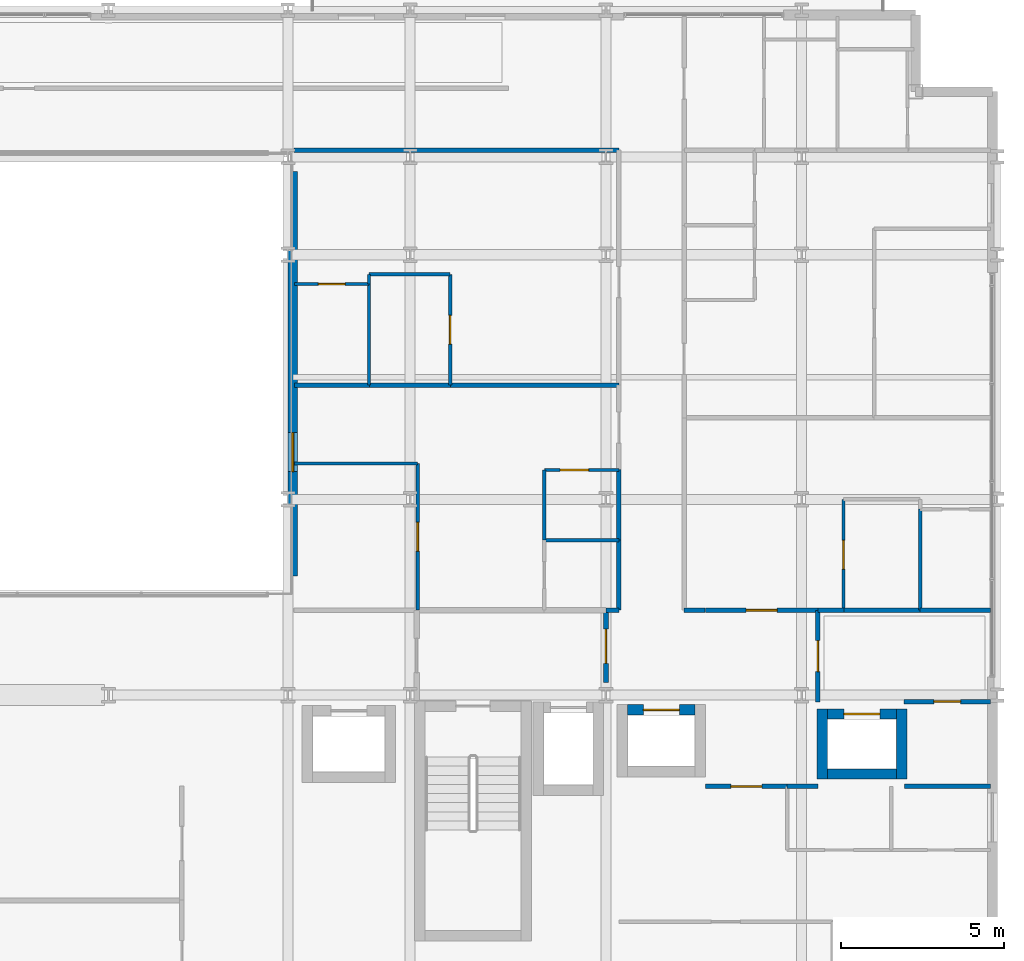
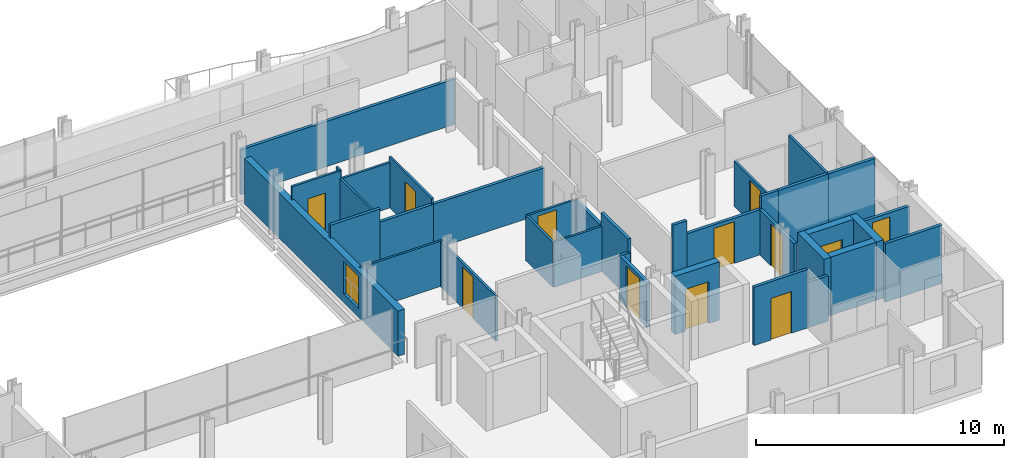
# One storey, part 35 of 41: 36 walls, 12 doors, 1 window, 13 openings.
"""IFC4 building model written with IfcOpenShell, lengths in metres."""

from ifc_helpers import new_model, si_unit, direction, frame, frame_2d, origin, place, context, subcontext, project, spatial, rectangle, extrude, material, layer, layer_set, type_object, element, fill, save


model = new_model("IFC4")

# Units and contexts
model_context = context("Model", 3, precision=1e-05, world=origin(), true_north=direction((0.0, 1.0)))
body_context = subcontext(model_context, "Body", "Model", "MODEL_VIEW")
ifc_project = project(units=[si_unit("LENGTHUNIT", "METRE"), si_unit("AREAUNIT", "SQUARE_METRE"), si_unit("VOLUMEUNIT", "CUBIC_METRE"), si_unit("PLANEANGLEUNIT", "RADIAN"), si_unit("MASSUNIT", "GRAM", prefix="KILO")], contexts=[model_context])

# Site, building, storey
site_placement = place(None, origin())
site = spatial("IfcSite", under=ifc_project, at=site_placement, CompositionType="ELEMENT")
building_placement = place(site_placement, origin())
building = spatial("IfcBuilding", under=site, at=building_placement, Name="Brevholm Reach", CompositionType="ELEMENT")
storey_placement = place(building_placement, frame((0.0, 0.0, 49.699951171875)))
storey = spatial("IfcBuildingStorey", under=building, at=storey_placement, Name="L13", CompositionType="ELEMENT", Elevation=49.699951171875)

# Wall, opening, door
ifc_material_1 = material(Name="Concrete C60/75", Category="concrete")
ifc_layer_1 = layer(ifc_material_1, 0.320068359375)
ifc_layer_set_1 = layer_set([ifc_layer_1], Name="Concrete C60/75")
wall_type_1 = type_object("IfcWallType", Name="WAL-COR-320", PredefinedType="SHEAR", material=ifc_layer_set_1)
wall_1_placement = place(storey_placement, frame((48.6650390625, 9.544921875, 0.0), z_axis=(0.0, 0.0, 1.0), x_axis=(1.0, 0.0, 0.0)))
wall_1 = element("IfcWall", 1, at=wall_1_placement, inside=storey, type_object=wall_type_1, Name="L13 Lift PL-L1 Shaft Wall N", PredefinedType="SHEAR", context=body_context, shape_type="SweptSolid", body=[
    extrude(rectangle(XDim=2.070068359375, YDim=0.320068359375, at=frame_2d((1.03515625, 0.0))), origin(), (0.0, 0.0, 1.0), 2.8701171875),
])
opening_1_placement = place(wall_1_placement, frame((0.485107421875, 0.0, 0.0)))
opening_1 = element("IfcOpeningElement", 2, at=opening_1_placement, cuts=wall_1, Name="Opening LD-PL-L1", PredefinedType="OPENING", context=body_context, shape_type="SweptSolid", body=[
    extrude(rectangle(XDim=1.10009765625, YDim=2.06005859375, at=frame_2d((0.550048828125, 1.030029296875))), frame((0.0, 0.169921875, 0.0), z_axis=(0.0, -1.0, 0.0), x_axis=(1.0, 0.0, 0.0)), (0.0, 0.0, 1.0), 0.340087890625),
])
ifc_material_2 = material(Name="Brushed Stainless Steel Fire-Rated Sliding Lift Door", Category="steel")
door_type_1 = type_object("IfcDoorType", Name="DOR-LFT-1100", OperationType="NOTDEFINED", PredefinedType="DOOR", material=ifc_material_2)
door_1_placement = place(opening_1_placement, origin())
door_1 = element("IfcDoor", 3, at=door_1_placement, inside=storey, type_object=door_type_1, Name="L13 Lift PL-L1 Sliding Landing Door", OperationType="SLIDING_TO_LEFT", OverallHeight=2.06005859375, OverallWidth=1.10009765625, PredefinedType="DOOR", context=body_context, shape_type="SweptSolid", body=[
    extrude(rectangle(XDim=1.10009765625, YDim=2.06005859375, at=frame_2d((0.550048828125, 1.030029296875))), frame((0.0, 0.02490234375, 0.0), z_axis=(0.0, -1.0, 0.0), x_axis=(1.0, 0.0, 0.0)), (0.0, 0.0, 1.0), 0.050048828125),
])
fill(opening_1, door_1)

# Walls
for number, where, z_axis, x_axis, name in (
    (4, (54.6298828125, 7.419921875, 0.0), (0.0, 0.0, 1.0), (0.0, 1.0, 0.0), "L13 Lift PL-L2 Shaft Wall W"),
    (5, (57.070068359375, 7.419921875, 0.0), (0.0, 0.0, 1.0), (0.0, 1.0, 0.0), "L13 Lift PL-L2 Shaft Wall E"),
):
    element("IfcWall", number, at=place(storey_placement, frame(where, z_axis=z_axis, x_axis=x_axis)), inside=storey, type_object=wall_type_1, Name=name, PredefinedType="SHEAR", context=body_context, shape_type="SweptSolid", body=[
        extrude(rectangle(XDim=2.16015625, YDim=0.320068359375, at=frame_2d((1.080078125, 0.0))), origin(), (0.0, 0.0, 1.0), 2.8701171875),
    ])
wall_2_placement = place(storey_placement, frame((54.7900390625, 7.580078125, 0.0), z_axis=(0.0, 0.0, 1.0), x_axis=(1.0, 0.0, 0.0)))
element("IfcWall", 6, at=wall_2_placement, inside=storey, type_object=wall_type_1, Name="L13 Lift PL-L2 Shaft Wall S", PredefinedType="SHEAR", context=body_context, shape_type="SweptSolid", body=[
    extrude(rectangle(XDim=2.119873046875, YDim=0.320068359375, at=frame_2d((1.06005859375, 0.0))), origin(), (0.0, 0.0, 1.0), 2.8701171875),
])

# Wall, opening, door
wall_3_placement = place(storey_placement, frame((54.7900390625, 9.419921875, 0.0), z_axis=(0.0, 0.0, 1.0), x_axis=(1.0, 0.0, 0.0)))
wall_3 = element("IfcWall", 7, at=wall_3_placement, inside=storey, type_object=wall_type_1, Name="L13 Lift PL-L2 Shaft Wall N", PredefinedType="SHEAR", context=body_context, shape_type="SweptSolid", body=[
    extrude(rectangle(XDim=2.119873046875, YDim=0.320068359375, at=frame_2d((1.06005859375, 0.0))), origin(), (0.0, 0.0, 1.0), 2.8701171875),
])
opening_2_placement = place(wall_3_placement, frame((0.510009765625, 0.0, 0.0)))
opening_2 = element("IfcOpeningElement", 8, at=opening_2_placement, cuts=wall_3, Name="Opening LD-PL-L2", PredefinedType="OPENING", context=body_context, shape_type="SweptSolid", body=[
    extrude(rectangle(XDim=1.10009765625, YDim=2.06005859375, at=frame_2d((0.550048828125, 1.030029296875))), frame((0.0, 0.169921875, 0.0), z_axis=(0.0, -1.0, 0.0), x_axis=(1.0, 0.0, 0.0)), (0.0, 0.0, 1.0), 0.340087890625),
])
door_2_placement = place(opening_2_placement, origin())
door_2 = element("IfcDoor", 9, at=door_2_placement, inside=storey, type_object=door_type_1, Name="L13 Lift PL-L2 Sliding Landing Door", OperationType="SLIDING_TO_RIGHT", OverallHeight=2.06005859375, OverallWidth=1.10009765625, PredefinedType="DOOR", context=body_context, shape_type="SweptSolid", body=[
    extrude(rectangle(XDim=1.10009765625, YDim=2.06005859375, at=frame_2d((0.550048828125, 1.030029296875))), frame((0.0, 0.02490234375, 0.0), z_axis=(0.0, -1.0, 0.0), x_axis=(1.0, 0.0, 0.0)), (0.0, 0.0, 1.0), 0.050048828125),
])
fill(opening_2, door_2)

# Wall, opening, window
ifc_material_3 = material(Name="Concrete C40/50", Category="concrete")
ifc_layer_2 = layer(ifc_material_3, 0.300048828125)
ifc_layer_set_2 = layer_set([ifc_layer_2], Name="Concrete C40/50")
wall_type_2 = type_object("IfcWallType", Name="WAL-EXT-300", PredefinedType="STANDARD", material=ifc_layer_set_2)
wall_4_placement = place(storey_placement, frame((38.39990234375, 13.64990234375, 0.0), z_axis=(0.0, 0.0, 1.0), x_axis=(0.0, 1.0, 0.0)))
wall_4 = element("IfcWall", 10, at=wall_4_placement, inside=storey, type_object=wall_type_2, Name="L13 Facade Wall WAL-L13-AT-E", PredefinedType="STANDARD", context=body_context, shape_type="SweptSolid", body=[
    extrude(rectangle(XDim=12.400146484375, YDim=0.300048828125, at=frame_2d((6.2001953125, 0.0))), origin(), (0.0, 0.0, 1.0), 2.224853515625),
])
opening_3_placement = place(wall_4_placement, frame((3.199951171875, 0.0, 0.405029296875)))
opening_3 = element("IfcOpeningElement", 11, at=opening_3_placement, cuts=wall_4, Name="Opening WN-08", PredefinedType="OPENING", context=body_context, shape_type="SweptSolid", body=[
    extrude(rectangle(XDim=1.199951171875, YDim=1.60009765625, at=frame_2d((0.60009765625, 0.800048828125))), frame((0.0, 0.159912109375, 0.0), z_axis=(0.0, -1.0, 0.0), x_axis=(1.0, 0.0, 0.0)), (0.0, 0.0, 1.0), 0.320068359375),
])
ifc_material_4 = material(Name="Dark Anodised Aluminium and Solar-Control IGU Glass", Category="aluminium")
window_type = type_object("IfcWindowType", Name="WIN-RES-1200", PartitioningType="SINGLE_PANEL", PredefinedType="WINDOW", material=ifc_material_4)
window_placement = place(opening_3_placement, origin())
window = element("IfcWindow", 12, at=window_placement, inside=storey, type_object=window_type, Name="L13 Window WIN-L13-AT-E1", OverallHeight=1.60009765625, OverallWidth=1.199951171875, PartitioningType="SINGLE_PANEL", PredefinedType="WINDOW", context=body_context, shape_type="SweptSolid", body=[
    extrude(rectangle(XDim=1.199951171875, YDim=1.60009765625, at=frame_2d((0.60009765625, 0.800048828125))), frame((0.0, 0.030029296875, 0.0), z_axis=(0.0, -1.0, 0.0), x_axis=(1.0, 0.0, 0.0)), (0.0, 0.0, 1.0), 0.06005859375),
])
fill(opening_3, window)

# Wall
ifc_material_5 = material(Name="Moisture-Resistant Acoustic Gypsum Stud Partition 100 mm", Category="gypsum")
ifc_layer_3 = layer(ifc_material_5, 0.10009765625)
ifc_layer_set_3 = layer_set([ifc_layer_3], Name="Moisture-Resistant Acoustic Gypsum Stud Partition 100 mm")
wall_type_3 = type_object("IfcWallType", Name="WAL-PRT-100", PredefinedType="PARTITIONING", material=ifc_layer_set_3)
wall_5_placement = place(storey_placement, frame((46.112060546875, 14.75, 0.0), z_axis=(0.0, 0.0, 1.0), x_axis=(1.0, 0.0, 0.0)))
element("IfcWall", 13, at=wall_5_placement, inside=storey, type_object=wall_type_3, Name="L13 Internal Partition 106", PredefinedType="PARTITIONING", context=body_context, shape_type="SweptSolid", body=[
    extrude(rectangle(XDim=2.283935546875, YDim=0.10009765625, at=frame_2d((1.14208984375, 0.0))), origin(), (0.0, 0.0, 1.0), 2.224853515625),
])

# Wall, opening, door
wall_6_placement = place(storey_placement, frame((46.112060546875, 16.89990234375, 0.0), z_axis=(0.0, 0.0, 1.0), x_axis=(1.0, 0.0, 0.0)))
wall_6 = element("IfcWall", 14, at=wall_6_placement, inside=storey, type_object=wall_type_3, Name="L13 Internal Partition 108", PredefinedType="PARTITIONING", context=body_context, shape_type="SweptSolid", body=[
    extrude(rectangle(XDim=2.283935546875, YDim=0.10009765625, at=frame_2d((1.14208984375, 0.0))), origin(), (0.0, 0.0, 1.0), 2.224853515625),
])
opening_4_placement = place(wall_6_placement, frame((0.48193359375, 0.0, 0.0)))
opening_4 = element("IfcOpeningElement", 15, at=opening_4_placement, cuts=wall_6, Name="Opening ID-01", PredefinedType="OPENING", context=body_context, shape_type="SweptSolid", body=[
    extrude(rectangle(XDim=0.8798828125, YDim=2.0400390625, at=frame_2d((0.43994140625, 1.02001953125))), frame((0.0, 0.06005859375, 0.0), z_axis=(0.0, -1.0, 0.0), x_axis=(1.0, 0.0, 0.0)), (0.0, 0.0, 1.0), 0.1201171875),
])
ifc_material_6 = material(Name="Lacquered Ash Solid-Core Acoustic Internal Door", Category="timber")
door_type_2 = type_object("IfcDoorType", Name="DOR-INT-880", OperationType="NOTDEFINED", PredefinedType="DOOR", material=ifc_material_6)
door_3_placement = place(opening_4_placement, origin())
door_3 = element("IfcDoor", 16, at=door_3_placement, inside=storey, type_object=door_type_2, Name="L13 Internal Door 041", OperationType="SINGLE_SWING_RIGHT", OverallHeight=2.0400390625, OverallWidth=0.8798828125, PredefinedType="DOOR", context=body_context, shape_type="SweptSolid", body=[
    extrude(rectangle(XDim=0.8798828125, YDim=2.0400390625, at=frame_2d((0.43994140625, 1.02001953125))), frame((0.0, 0.02490234375, 0.0), z_axis=(0.0, -1.0, 0.0), x_axis=(1.0, 0.0, 0.0)), (0.0, 0.0, 1.0), 0.050048828125),
])
fill(opening_4, door_3)

# Wall
wall_7_placement = place(storey_placement, frame((46.112060546875, 14.75390625, 0.0), z_axis=(0.0, 0.0, 1.0), x_axis=(0.0, 1.0, 0.0)))
element("IfcWall", 17, at=wall_7_placement, inside=storey, type_object=wall_type_3, Name="L13 Internal Partition 109", PredefinedType="PARTITIONING", context=body_context, shape_type="SweptSolid", body=[
    extrude(rectangle(XDim=2.14599609375, YDim=0.10009765625, at=frame_2d((1.072998046875, 0.0))), origin(), (0.0, 0.0, 1.0), 2.224853515625),
])

# Wall, opening, door
wall_8_placement = place(storey_placement, frame((42.23095703125, 12.60400390625, 0.0), z_axis=(0.0, 0.0, 1.0), x_axis=(0.0, 1.0, 0.0)))
wall_8 = element("IfcWall", 18, at=wall_8_placement, inside=storey, type_object=wall_type_3, Name="L13 Internal Partition 110", PredefinedType="PARTITIONING", context=body_context, shape_type="SweptSolid", body=[
    extrude(rectangle(XDim=4.49609375, YDim=0.10009765625, at=frame_2d((2.248046875, 0.0))), origin(), (0.0, 0.0, 1.0), 2.224853515625),
])
opening_5_placement = place(wall_8_placement, frame((1.80810546875, 0.0, 0.0)))
opening_5 = element("IfcOpeningElement", 19, at=opening_5_placement, cuts=wall_8, Name="Opening ID-01", PredefinedType="OPENING", context=body_context, shape_type="SweptSolid", body=[
    extrude(rectangle(XDim=0.8798828125, YDim=2.0400390625, at=frame_2d((0.43994140625, 1.02001953125))), frame((0.0, 0.06005859375, 0.0), z_axis=(0.0, -1.0, 0.0), x_axis=(1.0, 0.0, 0.0)), (0.0, 0.0, 1.0), 0.1201171875),
])
door_4_placement = place(opening_5_placement, origin())
door_4 = element("IfcDoor", 20, at=door_4_placement, inside=storey, type_object=door_type_2, Name="L13 Internal Door 042", OperationType="SINGLE_SWING_LEFT", OverallHeight=2.0400390625, OverallWidth=0.8798828125, PredefinedType="DOOR", context=body_context, shape_type="SweptSolid", body=[
    extrude(rectangle(XDim=0.8798828125, YDim=2.0400390625, at=frame_2d((0.43994140625, 1.02001953125))), frame((0.0, 0.02490234375, 0.0), z_axis=(0.0, -1.0, 0.0), x_axis=(1.0, 0.0, 0.0)), (0.0, 0.0, 1.0), 0.050048828125),
])
fill(opening_5, door_4)

# Walls
wall_9_placement = place(storey_placement, frame((38.449951171875, 17.10009765625, 0.0), z_axis=(0.0, 0.0, 1.0), x_axis=(1.0, 0.0, 0.0)))
element("IfcWall", 21, at=wall_9_placement, inside=storey, type_object=wall_type_3, Name="L13 Internal Partition 111", PredefinedType="PARTITIONING", context=body_context, shape_type="SweptSolid", body=[
    extrude(rectangle(XDim=3.781005859375, YDim=0.10009765625, at=frame_2d((1.890625, 0.0))), origin(), (0.0, 0.0, 1.0), 2.224853515625),
])
wall_10_placement = place(storey_placement, frame((40.738037109375, 19.50390625, 0.0), z_axis=(0.0, 0.0, 1.0), x_axis=(0.0, 1.0, 0.0)))
element("IfcWall", 22, at=wall_10_placement, inside=storey, type_object=wall_type_3, Name="L13 Internal Partition 115", PredefinedType="PARTITIONING", context=body_context, shape_type="SweptSolid", body=[
    extrude(rectangle(XDim=3.09619140625, YDim=0.10009765625, at=frame_2d((1.548095703125, 0.0))), origin(), (0.0, 0.0, 1.0), 2.489990234375),
])

# Wall, opening, door
wall_11_placement = place(storey_placement, frame((38.449951171875, 22.60009765625, 0.0), z_axis=(0.0, 0.0, 1.0), x_axis=(1.0, 0.0, 0.0)))
wall_11 = element("IfcWall", 23, at=wall_11_placement, inside=storey, type_object=wall_type_3, Name="L13 Internal Partition 116", PredefinedType="PARTITIONING", context=body_context, shape_type="SweptSolid", body=[
    extrude(rectangle(XDim=2.2880859375, YDim=0.10009765625, at=frame_2d((1.14404296875, 0.0))), origin(), (0.0, 0.0, 1.0), 2.8701171875),
])
opening_6_placement = place(wall_11_placement, frame((0.73388671875, 0.0, 0.0)))
opening_6 = element("IfcOpeningElement", 24, at=opening_6_placement, cuts=wall_11, Name="Opening ID-03", PredefinedType="OPENING", context=body_context, shape_type="SweptSolid", body=[
    extrude(rectangle(XDim=0.820068359375, YDim=2.02001953125, at=frame_2d((0.41015625, 1.010009765625))), frame((0.0, 0.06005859375, 0.0), z_axis=(0.0, -1.0, 0.0), x_axis=(1.0, 0.0, 0.0)), (0.0, 0.0, 1.0), 0.1201171875),
])
ifc_material_7 = material(Name="Moisture-Resistant Painted Timber Internal Bathroom Door", Category="wood")
door_type_3 = type_object("IfcDoorType", Name="DOR-BATH-820", OperationType="NOTDEFINED", PredefinedType="DOOR", material=ifc_material_7)
door_5_placement = place(opening_6_placement, origin())
door_5 = element("IfcDoor", 25, at=door_5_placement, inside=storey, type_object=door_type_3, Name="L13 Internal Door 043", OperationType="SINGLE_SWING_RIGHT", OverallHeight=2.02001953125, OverallWidth=0.820068359375, PredefinedType="DOOR", context=body_context, shape_type="SweptSolid", body=[
    extrude(rectangle(XDim=0.820068359375, YDim=2.02001953125, at=frame_2d((0.41015625, 1.010009765625))), frame((0.0, 0.02490234375, 0.0), z_axis=(0.0, -1.0, 0.0), x_axis=(1.0, 0.0, 0.0)), (0.0, 0.0, 1.0), 0.050048828125),
])
fill(opening_6, door_5)

wall_12_placement = place(storey_placement, frame((43.22509765625, 19.50390625, 0.0), z_axis=(0.0, 0.0, 1.0), x_axis=(0.0, 1.0, 0.0)))
wall_12 = element("IfcWall", 26, at=wall_12_placement, inside=storey, type_object=wall_type_3, Name="L13 Internal Partition 117", PredefinedType="PARTITIONING", context=body_context, shape_type="SweptSolid", body=[
    extrude(rectangle(XDim=3.39599609375, YDim=0.10009765625, at=frame_2d((1.697998046875, 0.0))), origin(), (0.0, 0.0, 1.0), 2.489990234375),
])
opening_7_placement = place(wall_12_placement, frame((1.258056640625, 0.0, 0.0)))
opening_7 = element("IfcOpeningElement", 27, at=opening_7_placement, cuts=wall_12, Name="Opening ID-01", PredefinedType="OPENING", context=body_context, shape_type="SweptSolid", body=[
    extrude(rectangle(XDim=0.8798828125, YDim=2.0400390625, at=frame_2d((0.43994140625, 1.02001953125))), frame((0.0, 0.06005859375, 0.0), z_axis=(0.0, -1.0, 0.0), x_axis=(1.0, 0.0, 0.0)), (0.0, 0.0, 1.0), 0.1201171875),
])
door_6_placement = place(opening_7_placement, origin())
door_6 = element("IfcDoor", 28, at=door_6_placement, inside=storey, type_object=door_type_2, Name="L13 Internal Door 044", OperationType="SINGLE_SWING_LEFT", OverallHeight=2.0400390625, OverallWidth=0.8798828125, PredefinedType="DOOR", context=body_context, shape_type="SweptSolid", body=[
    extrude(rectangle(XDim=0.8798828125, YDim=2.0400390625, at=frame_2d((0.43994140625, 1.02001953125))), frame((0.0, 0.02490234375, 0.0), z_axis=(0.0, -1.0, 0.0), x_axis=(1.0, 0.0, 0.0)), (0.0, 0.0, 1.0), 0.050048828125),
])
fill(opening_7, door_6)

# Walls
wall_13_placement = place(storey_placement, frame((40.738037109375, 22.89990234375, 0.0), z_axis=(0.0, 0.0, 1.0), x_axis=(1.0, 0.0, 0.0)))
element("IfcWall", 29, at=wall_13_placement, inside=storey, type_object=wall_type_3, Name="L13 Internal Partition 118", PredefinedType="PARTITIONING", context=body_context, shape_type="SweptSolid", body=[
    extrude(rectangle(XDim=2.487060546875, YDim=0.10009765625, at=frame_2d((1.24365234375, 0.0))), origin(), (0.0, 0.0, 1.0), 2.224853515625),
])
wall_14_placement = place(storey_placement, frame((40.738037109375, 22.60400390625, 0.0), z_axis=(0.0, 0.0, 1.0), x_axis=(0.0, 1.0, 0.0)))
element("IfcWall", 30, at=wall_14_placement, inside=storey, type_object=wall_type_3, Name="L13 Internal Partition 119", PredefinedType="PARTITIONING", context=body_context, shape_type="SweptSolid", body=[
    extrude(rectangle(XDim=0.2958984375, YDim=0.10009765625, at=frame_2d((0.14794921875, 0.0))), origin(), (0.0, 0.0, 1.0), 2.8701171875),
])
wall_15_placement = place(storey_placement, frame((57.637939453125, 12.60400390625, 0.0), z_axis=(0.0, 0.0, 1.0), x_axis=(0.0, 1.0, 0.0)))
element("IfcWall", 31, at=wall_15_placement, inside=storey, type_object=wall_type_3, Name="L13 Internal Partition 120", PredefinedType="PARTITIONING", context=body_context, shape_type="SweptSolid", body=[
    extrude(rectangle(XDim=3.095947265625, YDim=0.10009765625, at=frame_2d((1.5478515625, 0.0))), origin(), (0.0, 0.0, 1.0), 2.8701171875),
])

# Wall, opening, door
wall_16_placement = place(storey_placement, frame((55.2880859375, 12.60400390625, 0.0), z_axis=(0.0, 0.0, 1.0), x_axis=(0.0, 1.0, 0.0)))
wall_16 = element("IfcWall", 32, at=wall_16_placement, inside=storey, type_object=wall_type_3, Name="L13 Internal Partition 124", PredefinedType="PARTITIONING", context=body_context, shape_type="SweptSolid", body=[
    extrude(rectangle(XDim=3.39599609375, YDim=0.10009765625, at=frame_2d((1.697998046875, 0.0))), origin(), (0.0, 0.0, 1.0), 2.224853515625),
])
opening_8_placement = place(wall_16_placement, frame((1.258056640625, 0.0, 0.0)))
opening_8 = element("IfcOpeningElement", 33, at=opening_8_placement, cuts=wall_16, Name="Opening ID-01", PredefinedType="OPENING", context=body_context, shape_type="SweptSolid", body=[
    extrude(rectangle(XDim=0.8798828125, YDim=2.0400390625, at=frame_2d((0.43994140625, 1.02001953125))), frame((0.0, 0.06005859375, 0.0), z_axis=(0.0, -1.0, 0.0), x_axis=(1.0, 0.0, 0.0)), (0.0, 0.0, 1.0), 0.1201171875),
])
door_7_placement = place(opening_8_placement, origin())
door_7 = element("IfcDoor", 34, at=door_7_placement, inside=storey, type_object=door_type_2, Name="L13 Internal Door 046", OperationType="SINGLE_SWING_LEFT", OverallHeight=2.0400390625, OverallWidth=0.8798828125, PredefinedType="DOOR", context=body_context, shape_type="SweptSolid", body=[
    extrude(rectangle(XDim=0.8798828125, YDim=2.0400390625, at=frame_2d((0.43994140625, 1.02001953125))), frame((0.0, 0.02490234375, 0.0), z_axis=(0.0, -1.0, 0.0), x_axis=(1.0, 0.0, 0.0)), (0.0, 0.0, 1.0), 0.050048828125),
])
fill(opening_8, door_7)

ifc_material_8 = material(Name="Twin-Stud Acoustic Fire-Rated Gypsum Partition 140 mm", Category="gypsum")
ifc_layer_4 = layer(ifc_material_8, 0.139892578125)
ifc_layer_set_4 = layer_set([ifc_layer_4], Name="Twin-Stud Acoustic Fire-Rated Gypsum Partition 140 mm")
wall_type_4 = type_object("IfcWallType", Name="WAL-PRT-140", PredefinedType="PARTITIONING", material=ifc_layer_set_4)
wall_17_placement = place(storey_placement, frame((54.5, 9.788818359375, 0.0), z_axis=(0.0, 0.0, 1.0), x_axis=(0.0, 1.0, 0.0)))
wall_17 = element("IfcWall", 35, at=wall_17_placement, inside=storey, type_object=wall_type_4, Name="L13 Internal Partition 009", PredefinedType="PARTITIONING", context=body_context, shape_type="SweptSolid", body=[
    extrude(rectangle(XDim=2.811279296875, YDim=0.139892578125, at=frame_2d((1.40576171875, 0.0))), origin(), (0.0, 0.0, 1.0), 2.224853515625),
])
opening_9_placement = place(wall_17_placement, frame((0.9306640625, 0.0, 0.0)))
opening_9 = element("IfcOpeningElement", 36, at=opening_9_placement, cuts=wall_17, Name="Opening ID-30", PredefinedType="OPENING", context=body_context, shape_type="SweptSolid", body=[
    extrude(rectangle(XDim=0.949951171875, YDim=2.050048828125, at=frame_2d((0.47509765625, 1.02490234375))), frame((0.0, 0.079833984375, 0.0), z_axis=(0.0, -1.0, 0.0), x_axis=(1.0, 0.0, 0.0)), (0.0, 0.0, 1.0), 0.159912109375),
])
ifc_material_9 = material(Name="European Oak Veneered Solid-Core Fire Entrance Door", Category="timber")
door_type_4 = type_object("IfcDoorType", Name="DOR-FLT-FD30S", OperationType="NOTDEFINED", PredefinedType="DOOR", material=ifc_material_9)
door_8_placement = place(opening_9_placement, origin())
door_8 = element("IfcDoor", 37, at=door_8_placement, inside=storey, type_object=door_type_4, Name="L13 Internal Door 005", OperationType="SINGLE_SWING_RIGHT", OverallHeight=2.050048828125, OverallWidth=0.949951171875, PredefinedType="DOOR", context=body_context, shape_type="SweptSolid", body=[
    extrude(rectangle(XDim=0.949951171875, YDim=2.050048828125, at=frame_2d((0.47509765625, 1.02490234375))), frame((0.0, 0.02490234375, 0.0), z_axis=(0.0, -1.0, 0.0), x_axis=(1.0, 0.0, 0.0)), (0.0, 0.0, 1.0), 0.050048828125),
])
fill(opening_9, door_8)

# Wall
wall_18_placement = place(storey_placement, frame((53.546630859375, 7.199951171875, 0.0), z_axis=(0.0, 0.0, 1.0), x_axis=(1.0, 0.0, 0.0)))
element("IfcWall", 38, at=wall_18_placement, inside=storey, type_object=wall_type_4, Name="L13 Internal Partition 010", PredefinedType="PARTITIONING", context=body_context, shape_type="SweptSolid", body=[
    extrude(rectangle(XDim=0.953369140625, YDim=0.139892578125, at=frame_2d((0.4765625, 0.0))), origin(), (0.0, 0.0, 1.0), 2.224853515625),
])

# Wall, opening, door
wall_19_placement = place(storey_placement, frame((51.050048828125, 7.199951171875, 0.0), z_axis=(0.0, 0.0, 1.0), x_axis=(1.0, 0.0, 0.0)))
wall_19 = element("IfcWall", 39, at=wall_19_placement, inside=storey, type_object=wall_type_4, Name="L13 Internal Partition 011", PredefinedType="PARTITIONING", context=body_context, shape_type="SweptSolid", body=[
    extrude(rectangle(XDim=2.51513671875, YDim=0.139892578125, at=frame_2d((1.257568359375, 0.0))), origin(), (0.0, 0.0, 1.0), 2.8701171875),
])
opening_10_placement = place(wall_19_placement, frame((0.78271484375, 0.0, 0.0)))
opening_10 = element("IfcOpeningElement", 40, at=opening_10_placement, cuts=wall_19, Name="Opening ID-30", PredefinedType="OPENING", context=body_context, shape_type="SweptSolid", body=[
    extrude(rectangle(XDim=0.949951171875, YDim=2.050048828125, at=frame_2d((0.47509765625, 1.02490234375))), frame((0.0, 0.079833984375, 0.0), z_axis=(0.0, -1.0, 0.0), x_axis=(1.0, 0.0, 0.0)), (0.0, 0.0, 1.0), 0.159912109375),
])
door_9_placement = place(opening_10_placement, origin())
door_9 = element("IfcDoor", 41, at=door_9_placement, inside=storey, type_object=door_type_4, Name="L13 Internal Door 006", OperationType="SINGLE_SWING_LEFT", OverallHeight=2.050048828125, OverallWidth=0.949951171875, PredefinedType="DOOR", context=body_context, shape_type="SweptSolid", body=[
    extrude(rectangle(XDim=0.949951171875, YDim=2.050048828125, at=frame_2d((0.47509765625, 1.02490234375))), frame((0.0, 0.02490234375, 0.0), z_axis=(0.0, -1.0, 0.0), x_axis=(1.0, 0.0, 0.0)), (0.0, 0.0, 1.0), 0.050048828125),
])
fill(opening_10, door_9)

wall_20_placement = place(storey_placement, frame((51.050048828125, 12.60009765625, 0.0), z_axis=(0.0, 0.0, 1.0), x_axis=(1.0, 0.0, 0.0)))
wall_20 = element("IfcWall", 42, at=wall_20_placement, inside=storey, type_object=wall_type_4, Name="L13 Internal Partition 012", PredefinedType="PARTITIONING", context=body_context, shape_type="SweptSolid", body=[
    extrude(rectangle(XDim=3.449951171875, YDim=0.139892578125, at=frame_2d((1.72509765625, 0.0))), origin(), (0.0, 0.0, 1.0), 2.224853515625),
])
opening_11_placement = place(wall_20_placement, frame((1.25, 0.0, 0.0)))
opening_11 = element("IfcOpeningElement", 43, at=opening_11_placement, cuts=wall_20, Name="Opening ID-30", PredefinedType="OPENING", context=body_context, shape_type="SweptSolid", body=[
    extrude(rectangle(XDim=0.949951171875, YDim=2.050048828125, at=frame_2d((0.47509765625, 1.02490234375))), frame((0.0, 0.079833984375, 0.0), z_axis=(0.0, -1.0, 0.0), x_axis=(1.0, 0.0, 0.0)), (0.0, 0.0, 1.0), 0.159912109375),
])
door_10_placement = place(opening_11_placement, origin())
door_10 = element("IfcDoor", 44, at=door_10_placement, inside=storey, type_object=door_type_4, Name="L13 Internal Door 007", OperationType="SINGLE_SWING_RIGHT", OverallHeight=2.050048828125, OverallWidth=0.949951171875, PredefinedType="DOOR", context=body_context, shape_type="SweptSolid", body=[
    extrude(rectangle(XDim=0.949951171875, YDim=2.050048828125, at=frame_2d((0.47509765625, 1.02490234375))), frame((0.0, 0.02490234375, 0.0), z_axis=(0.0, -1.0, 0.0), x_axis=(1.0, 0.0, 0.0)), (0.0, 0.0, 1.0), 0.050048828125),
])
fill(opening_11, door_10)

# Walls
wall_21_placement = place(storey_placement, frame((48.00390625, 12.60009765625, 0.0), z_axis=(0.0, 0.0, 1.0), x_axis=(1.0, 0.0, 0.0)))
element("IfcWall", 45, at=wall_21_placement, inside=storey, type_object=wall_type_4, Name="L13 Internal Partition 028", PredefinedType="PARTITIONING", context=body_context, shape_type="SweptSolid", body=[
    extrude(rectangle(XDim=0.4033203125, YDim=0.139892578125, at=frame_2d((0.20166015625, 0.0))), origin(), (0.0, 0.0, 1.0), 2.224853515625),
])
wall_22_placement = place(storey_placement, frame((50.392578125, 12.60009765625, 0.0), z_axis=(0.0, 0.0, 1.0), x_axis=(1.0, 0.0, 0.0)))
element("IfcWall", 46, at=wall_22_placement, inside=storey, type_object=wall_type_4, Name="L13 Internal Partition 029", PredefinedType="PARTITIONING", context=body_context, shape_type="SweptSolid", body=[
    extrude(rectangle(XDim=0.6533203125, YDim=0.139892578125, at=frame_2d((0.32666015625, 0.0))), origin(), (0.0, 0.0, 1.0), 2.8701171875),
])
wall_23_placement = place(storey_placement, frame((48.39990234375, 12.60400390625, 0.0), z_axis=(0.0, 0.0, 1.0), x_axis=(0.0, 1.0, 0.0)))
element("IfcWall", 47, at=wall_23_placement, inside=storey, type_object=wall_type_4, Name="L13 Internal Partition 039", PredefinedType="PARTITIONING", context=body_context, shape_type="SweptSolid", body=[
    extrude(rectangle(XDim=2.1572265625, YDim=0.139892578125, at=frame_2d((1.07861328125, 0.0))), origin(), (0.0, 0.0, 1.0), 2.8701171875),
])
wall_24_placement = place(storey_placement, frame((48.39990234375, 14.74267578125, 0.0), z_axis=(0.0, 0.0, 1.0), x_axis=(0.0, 1.0, 0.0)))
element("IfcWall", 48, at=wall_24_placement, inside=storey, type_object=wall_type_4, Name="L13 Internal Partition 040", PredefinedType="PARTITIONING", context=body_context, shape_type="SweptSolid", body=[
    extrude(rectangle(XDim=2.168701171875, YDim=0.139892578125, at=frame_2d((1.08447265625, 0.0))), origin(), (0.0, 0.0, 1.0), 2.224853515625),
])
wall_25_placement = place(storey_placement, frame((38.438720703125, 26.699951171875, 0.0), z_axis=(0.0, 0.0, 1.0), x_axis=(1.0, 0.0, 0.0)))
element("IfcWall", 49, at=wall_25_placement, inside=storey, type_object=wall_type_4, Name="L13 Internal Partition 050", PredefinedType="PARTITIONING", context=body_context, shape_type="SweptSolid", body=[
    extrude(rectangle(XDim=9.957275390625, YDim=0.139892578125, at=frame_2d((4.978515625, 0.0))), origin(), (0.0, 0.0, 1.0), 2.224853515625),
])

# Wall, opening, door
wall_26_placement = place(storey_placement, frame((57.138671875, 9.800048828125, 0.0), z_axis=(0.0, 0.0, 1.0), x_axis=(1.0, 0.0, 0.0)))
wall_26 = element("IfcWall", 50, at=wall_26_placement, inside=storey, type_object=wall_type_4, Name="L13 Internal Partition 064", PredefinedType="PARTITIONING", context=body_context, shape_type="SweptSolid", body=[
    extrude(rectangle(XDim=2.661376953125, YDim=0.139892578125, at=frame_2d((1.33056640625, 0.0))), origin(), (0.0, 0.0, 1.0), 2.224853515625),
])
opening_12_placement = place(wall_26_placement, frame((0.920654296875, 0.0, 0.0)))
opening_12 = element("IfcOpeningElement", 51, at=opening_12_placement, cuts=wall_26, Name="Opening ID-02", PredefinedType="OPENING", context=body_context, shape_type="SweptSolid", body=[
    extrude(rectangle(XDim=0.820068359375, YDim=2.02001953125, at=frame_2d((0.41015625, 1.010009765625))), frame((0.0, 0.079833984375, 0.0), z_axis=(0.0, -1.0, 0.0), x_axis=(1.0, 0.0, 0.0)), (0.0, 0.0, 1.0), 0.159912109375),
])
ifc_material_10 = material(Name="Moisture-Resistant Painted Timber Fire-Rated Riser and Service Door", Category="wood")
door_type_5 = type_object("IfcDoorType", Name="DOR-SRV-820", OperationType="NOTDEFINED", PredefinedType="DOOR", material=ifc_material_10)
door_11_placement = place(opening_12_placement, origin())
door_11 = element("IfcDoor", 52, at=door_11_placement, inside=storey, type_object=door_type_5, Name="L13 Access Door 055", OperationType="SINGLE_SWING_RIGHT", OverallHeight=2.02001953125, OverallWidth=0.820068359375, PredefinedType="DOOR", context=body_context, shape_type="SweptSolid", body=[
    extrude(rectangle(XDim=0.820068359375, YDim=2.02001953125, at=frame_2d((0.41015625, 1.010009765625))), frame((0.0, 0.02490234375, 0.0), z_axis=(0.0, -1.0, 0.0), x_axis=(1.0, 0.0, 0.0)), (0.0, 0.0, 1.0), 0.050048828125),
])
fill(opening_12, door_11)

# Walls
wall_27_placement = place(storey_placement, frame((57.626708984375, 12.60009765625, 0.0), z_axis=(0.0, 0.0, 1.0), x_axis=(1.0, 0.0, 0.0)))
element("IfcWall", 53, at=wall_27_placement, inside=storey, type_object=wall_type_4, Name="L13 Internal Partition 065", PredefinedType="PARTITIONING", context=body_context, shape_type="SweptSolid", body=[
    extrude(rectangle(XDim=2.17333984375, YDim=0.139892578125, at=frame_2d((1.086669921875, 0.0))), origin(), (0.0, 0.0, 1.0), 2.8701171875),
])
wall_28_placement = place(storey_placement, frame((55.276611328125, 12.60009765625, 0.0), z_axis=(0.0, 0.0, 1.0), x_axis=(1.0, 0.0, 0.0)))
element("IfcWall", 54, at=wall_28_placement, inside=storey, type_object=wall_type_4, Name="L13 Internal Partition 066", PredefinedType="PARTITIONING", context=body_context, shape_type="SweptSolid", body=[
    extrude(rectangle(XDim=2.36865234375, YDim=0.139892578125, at=frame_2d((1.184326171875, 0.0))), origin(), (0.0, 0.0, 1.0), 2.8701171875),
])
wall_29_placement = place(storey_placement, frame((54.50390625, 12.60009765625, 0.0), z_axis=(0.0, 0.0, 1.0), x_axis=(1.0, 0.0, 0.0)))
element("IfcWall", 55, at=wall_29_placement, inside=storey, type_object=wall_type_4, Name="L13 Internal Partition 067", PredefinedType="PARTITIONING", context=body_context, shape_type="SweptSolid", body=[
    extrude(rectangle(XDim=0.79150390625, YDim=0.139892578125, at=frame_2d((0.395751953125, 0.0))), origin(), (0.0, 0.0, 1.0), 2.8701171875),
])
wall_30_placement = place(storey_placement, frame((57.14990234375, 7.199951171875, 0.0), z_axis=(0.0, 0.0, 1.0), x_axis=(1.0, 0.0, 0.0)))
element("IfcWall", 56, at=wall_30_placement, inside=storey, type_object=wall_type_4, Name="L13 Internal Partition 068", PredefinedType="PARTITIONING", context=body_context, shape_type="SweptSolid", body=[
    extrude(rectangle(XDim=2.650146484375, YDim=0.139892578125, at=frame_2d((1.3251953125, 0.0))), origin(), (0.0, 0.0, 1.0), 2.8701171875),
])
wall_31_placement = place(storey_placement, frame((38.449951171875, 19.5, 0.0), z_axis=(0.0, 0.0, 1.0), x_axis=(1.0, 0.0, 0.0)))
element("IfcWall", 57, at=wall_31_placement, inside=storey, type_object=wall_type_4, Name="L13 Internal Partition 112", PredefinedType="PARTITIONING", context=body_context, shape_type="SweptSolid", body=[
    extrude(rectangle(XDim=2.29931640625, YDim=0.139892578125, at=frame_2d((1.149658203125, 0.0))), origin(), (0.0, 0.0, 1.0), 2.8701171875),
])
wall_32_placement = place(storey_placement, frame((40.730712890625, 19.5, 0.0), z_axis=(0.0, 0.0, 1.0), x_axis=(1.0, 0.0, 0.0)))
element("IfcWall", 58, at=wall_32_placement, inside=storey, type_object=wall_type_4, Name="L13 Internal Partition 113", PredefinedType="PARTITIONING", context=body_context, shape_type="SweptSolid", body=[
    extrude(rectangle(XDim=2.505615234375, YDim=0.139892578125, at=frame_2d((1.2529296875, 0.0))), origin(), (0.0, 0.0, 1.0), 2.224853515625),
])
wall_33_placement = place(storey_placement, frame((43.2177734375, 19.5, 0.0), z_axis=(0.0, 0.0, 1.0), x_axis=(1.0, 0.0, 0.0)))
element("IfcWall", 59, at=wall_33_placement, inside=storey, type_object=wall_type_4, Name="L13 Internal Partition 114", PredefinedType="PARTITIONING", context=body_context, shape_type="SweptSolid", body=[
    extrude(rectangle(XDim=5.17822265625, YDim=0.139892578125, at=frame_2d((2.589111328125, 0.0))), origin(), (0.0, 0.0, 1.0), 2.224853515625),
])

# Wall, opening, door
ifc_material_11 = material(Name="Twin-Frame Fire-Rated Gypsum Board and Mineral Wool 160 mm", Category="gypsum")
ifc_layer_5 = layer(ifc_material_11, 0.159912109375)
ifc_layer_set_5 = layer_set([ifc_layer_5], Name="Twin-Frame Fire-Rated Gypsum Board and Mineral Wool 160 mm")
wall_type_5 = type_object("IfcWallType", Name="WAL-PRT-160", PredefinedType="PARTITIONING", material=ifc_layer_set_5)
wall_34_placement = place(storey_placement, frame((48.0, 10.388671875, 0.0), z_axis=(0.0, 0.0, 1.0), x_axis=(0.0, 1.0, 0.0)))
wall_34 = element("IfcWall", 60, at=wall_34_placement, inside=storey, type_object=wall_type_5, Name="L13 Internal Partition 020", PredefinedType="PARTITIONING", context=body_context, shape_type="SweptSolid", body=[
    extrude(rectangle(XDim=2.21142578125, YDim=0.159912109375, at=frame_2d((1.105712890625, 0.0))), origin(), (0.0, 0.0, 1.0), 2.224853515625),
])
opening_13_placement = place(wall_34_placement, frame((0.58056640625, 0.0, 0.0)))
opening_13 = element("IfcOpeningElement", 61, at=opening_13_placement, cuts=wall_34, Name="Opening FD-01", PredefinedType="OPENING", context=body_context, shape_type="SweptSolid", body=[
    extrude(rectangle(XDim=1.050048828125, YDim=2.06005859375, at=frame_2d((0.52490234375, 1.030029296875))), frame((0.0, 0.08984375, 0.0), z_axis=(0.0, -1.0, 0.0), x_axis=(1.0, 0.0, 0.0)), (0.0, 0.0, 1.0), 0.179931640625),
])
ifc_material_12 = material(Name="Hardwood-Lipped Steel-Core Fire and Smoke Door", Category="steel")
door_type_6 = type_object("IfcDoorType", Name="DOR-INT-FD60S", OperationType="NOTDEFINED", PredefinedType="DOOR", material=ifc_material_12)
door_12_placement = place(opening_13_placement, origin())
door_12 = element("IfcDoor", 62, at=door_12_placement, inside=storey, type_object=door_type_6, Name="L13 Internal Door 011", OperationType="SINGLE_SWING_RIGHT", OverallHeight=2.06005859375, OverallWidth=1.050048828125, PredefinedType="DOOR", context=body_context, shape_type="SweptSolid", body=[
    extrude(rectangle(XDim=1.050048828125, YDim=2.06005859375, at=frame_2d((0.52490234375, 1.030029296875))), frame((0.0, 0.02490234375, 0.0), z_axis=(0.0, -1.0, 0.0), x_axis=(1.0, 0.0, 0.0)), (0.0, 0.0, 1.0), 0.050048828125),
])
fill(opening_13, door_12)

save(model, "model.ifc")
